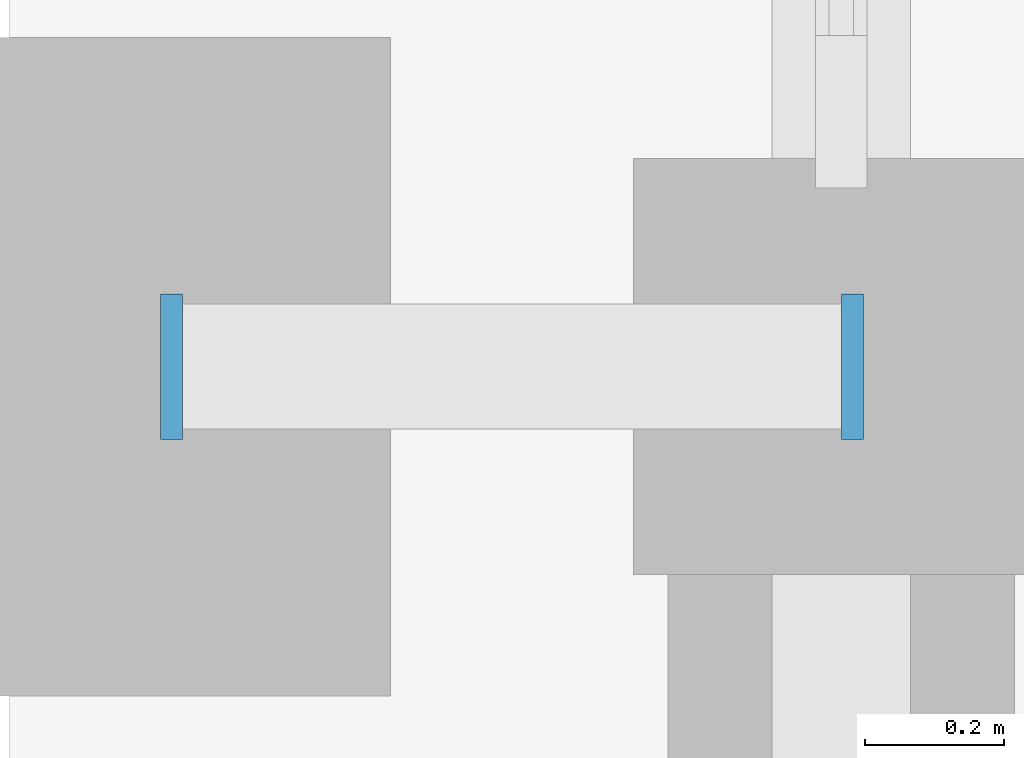
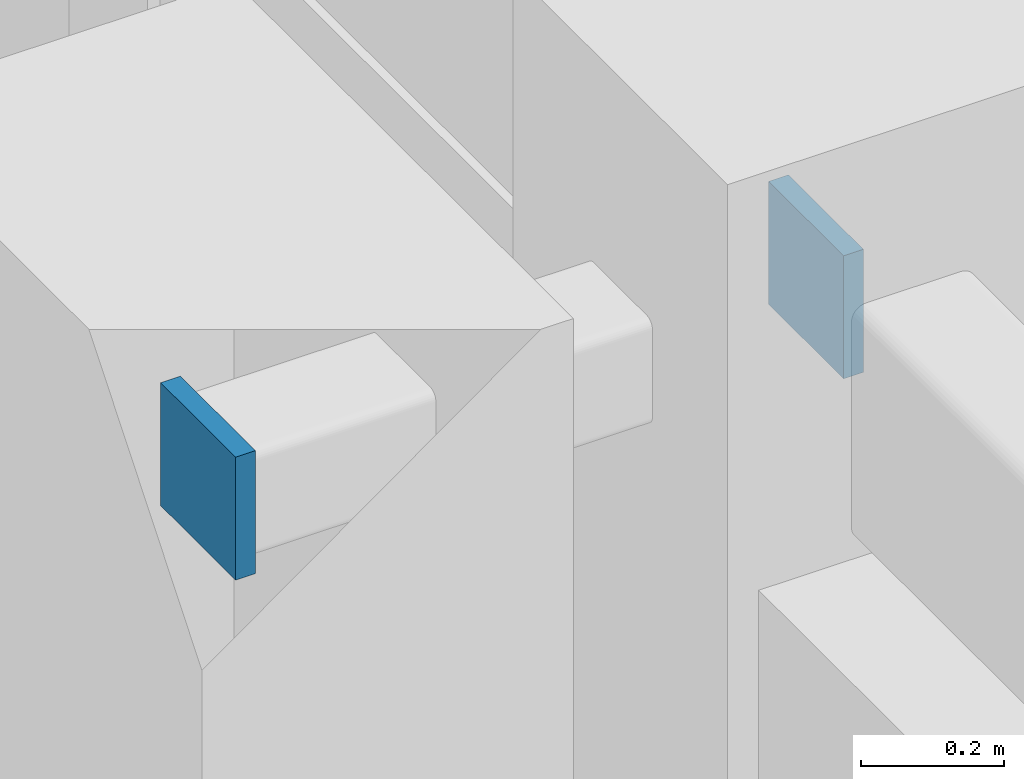
# One storey, part 111 of 145: 2 plates.
"""IFC4 building model written with IfcOpenShell, lengths in metres."""

from ifc_helpers import new_model, si_unit, direction, frame, origin, origin_2d, place, context, subcontext, project, spatial, rectangle, extrude, material, layer, layer_set, type_object, element, save


model = new_model("IFC4")

# Units and contexts
model_context = context("Model", 3, precision=1e-05, world=origin(), true_north=direction((0.0, 1.0)))
body_context = subcontext(model_context, "Body", "Model", "MODEL_VIEW")
ifc_project = project(units=[si_unit("LENGTHUNIT", "METRE"), si_unit("AREAUNIT", "SQUARE_METRE"), si_unit("VOLUMEUNIT", "CUBIC_METRE"), si_unit("PLANEANGLEUNIT", "RADIAN"), si_unit("MASSUNIT", "GRAM", prefix="KILO"), si_unit("THERMODYNAMICTEMPERATUREUNIT", "KELVIN"), si_unit("POWERUNIT", "WATT")], contexts=[model_context])

# Site, building, storey
site_placement = place(None, origin())
site = spatial("IfcSite", under=ifc_project, at=site_placement, CompositionType="ELEMENT")
building_placement = place(site_placement, origin())
building = spatial("IfcBuilding", under=site, at=building_placement, Name="Korenveer Ferry Terminal", CompositionType="ELEMENT")
storey_placement = place(building_placement, origin())
storey = spatial("IfcBuildingStorey", under=building, at=storey_placement, Name="L00", CompositionType="ELEMENT", Elevation=0.0)

# Plates
ifc_material = material(Name="Steel S355", Category="steel")
ifc_layer = layer(ifc_material, 0.031982421875)
ifc_layer_set = layer_set([ifc_layer], Name="Steel S355")
plate_type = type_object("IfcPlateType", Name="STR-PLT-CAP32", PredefinedType="USERDEFINED", material=ifc_layer_set)
for number, where, z_axis, x_axis, name in (
    (1, (-0.98193359375, 70.0, 4.949951171875), (1.0, 0.0, 0.0), (0.0, 1.0, 0.0), "Hollow section end cap 107"),
    (2, (0.0, 70.0, 4.949951171875), (1.0, 0.0, 0.0), (0.0, 1.0, 0.0), "Hollow section end cap 108"),
):
    element("IfcPlate", number, at=place(storey_placement, frame(where, z_axis=z_axis, x_axis=x_axis)), inside=storey, type_object=plate_type, Name=name, ObjectType="END CAP PLATE", PredefinedType="USERDEFINED", context=body_context, shape_type="SweptSolid", body=[
        extrude(rectangle(XDim=0.2099609375, YDim=0.2099609375, at=origin_2d()), origin(), (0.0, 0.0, 1.0), 0.031982421875),
    ])

save(model, "model.ifc")
